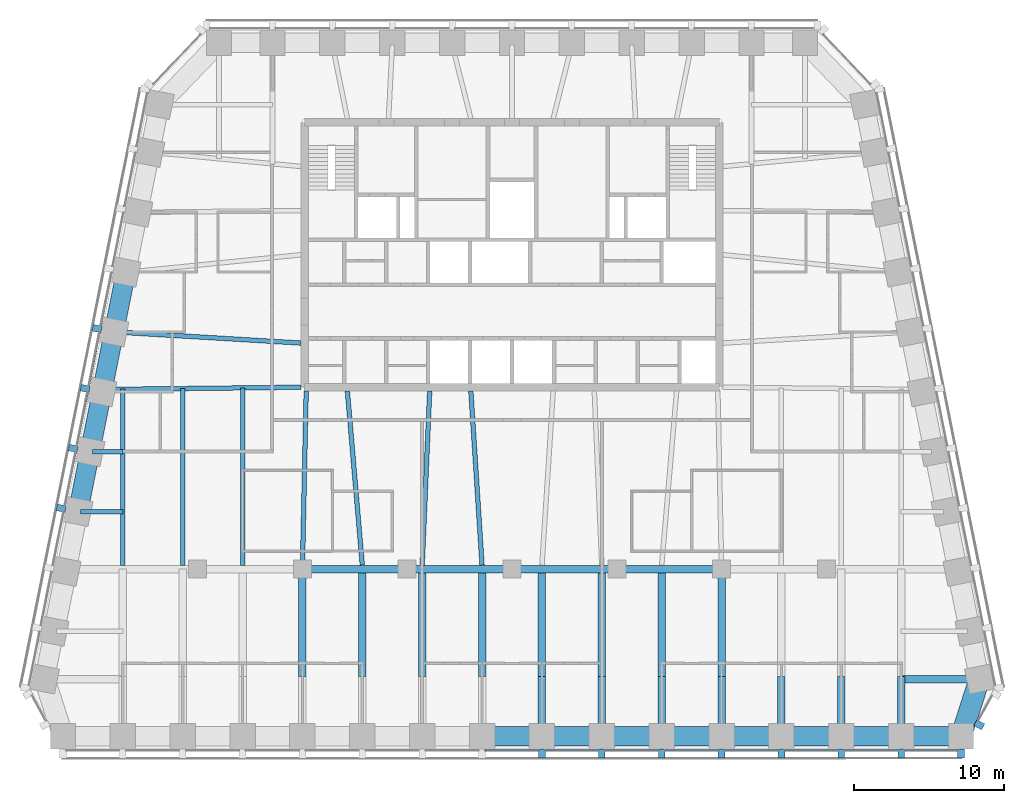
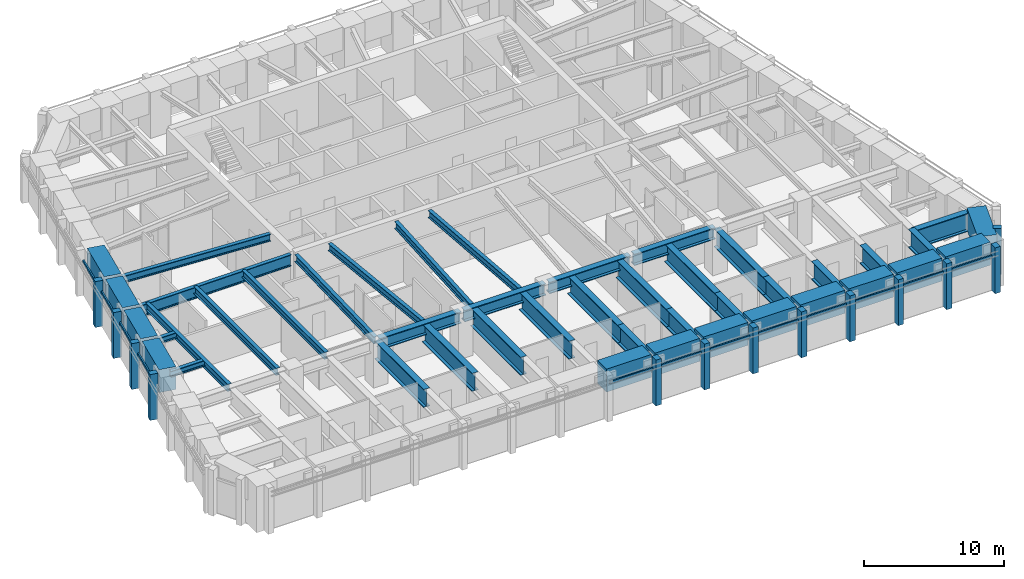
# One storey, part 2 of 12: 44 beams, 25 members, 3 elements without a shape of their own.
"""IFC4 building model written with IfcOpenShell, lengths in metres."""

from ifc_helpers import new_model, si_unit, direction, frame, origin, origin_2d, place, context, subcontext, project, spatial, rectangle, i_section, extrude, material, material_profile, profile_set, type_object, element, aggregate, save


model = new_model("IFC4")

# Units and contexts
model_context = context("Model", 3, precision=1e-05, world=origin(), true_north=direction((0.0, 1.0)))
body_context = subcontext(model_context, "Body", "Model", "MODEL_VIEW")
ifc_project = project(units=[si_unit("LENGTHUNIT", "METRE"), si_unit("AREAUNIT", "SQUARE_METRE"), si_unit("VOLUMEUNIT", "CUBIC_METRE"), si_unit("PLANEANGLEUNIT", "RADIAN"), si_unit("MASSUNIT", "GRAM", prefix="KILO")], contexts=[model_context])

# Site, building, storey
site_placement = place(None, origin())
site = spatial("IfcSite", under=ifc_project, at=site_placement, CompositionType="ELEMENT")
building_placement = place(site_placement, origin())
building = spatial("IfcBuilding", under=site, at=building_placement, Name="Isbrekke Arena Tower", CompositionType="ELEMENT")
storey_placement = place(building_placement, frame((0.0, 0.0, 256.0)))
storey = spatial("IfcBuildingStorey", under=building, at=storey_placement, Name="L59", CompositionType="ELEMENT", Elevation=256.0)

# Beams
ifc_material_1 = material(Name="Steel S355", Category="steel")
ifc_material_profile_1 = material_profile(ifc_material_1, i_section(OverallWidth=0.304931640625, OverallDepth=0.6201171875, WebThickness=0.02099609375, FlangeThickness=0.0400390625, FilletRadius=0.027099609375, at=origin_2d()), Name="HEM 600")
ifc_profile_set_1 = profile_set([ifc_material_profile_1], Name="Steel S355")
beam_type_1 = type_object("IfcBeamType", Name="B4 HEM 600", PredefinedType="BEAM", material=ifc_profile_set_1)
beam_1_placement = place(storey_placement, frame((-26.0, -5.75, 3.5400390625), z_axis=(0.0, 1.0, 0.0), x_axis=(-1.0, 0.0, 0.0)))
element("IfcBeam", 1, at=beam_1_placement, inside=storey, type_object=beam_type_1, Name="B4 beam C-M01 L59", PredefinedType="BEAM", context=body_context, shape_type="SweptSolid", body=[
    extrude(i_section(OverallWidth=0.304931640625, OverallDepth=0.6201171875, WebThickness=0.02099609375, FlangeThickness=0.0400390625, FilletRadius=0.027099609375, at=origin_2d()), origin(), (0.0, 0.0, 1.0), 11.765625),
])
beam_2_placement = place(storey_placement, frame((-22.0, -5.75, 3.5400390625), z_axis=(0.0, 1.0, 0.0), x_axis=(-1.0, 0.0, 0.0)))
element("IfcBeam", 2, at=beam_2_placement, inside=storey, type_object=beam_type_1, Name="B4 beam C-M02 L59", PredefinedType="BEAM", context=body_context, shape_type="SweptSolid", body=[
    extrude(i_section(OverallWidth=0.304931640625, OverallDepth=0.6201171875, WebThickness=0.02099609375, FlangeThickness=0.0400390625, FilletRadius=0.027099609375, at=origin_2d()), origin(), (0.0, 0.0, 1.0), 11.810791015625),
])
beam_3_placement = place(storey_placement, frame((-18.0, -5.75, 3.5400390625), z_axis=(0.0, 1.0, 0.0), x_axis=(-1.0, 0.0, 0.0)))
element("IfcBeam", 3, at=beam_3_placement, inside=storey, type_object=beam_type_1, Name="B4 beam C-M03 L59", PredefinedType="BEAM", context=body_context, shape_type="SweptSolid", body=[
    extrude(i_section(OverallWidth=0.304931640625, OverallDepth=0.6201171875, WebThickness=0.02099609375, FlangeThickness=0.0400390625, FilletRadius=0.027099609375, at=origin_2d()), origin(), (0.0, 0.0, 1.0), 11.85595703125),
])
beam_4_placement = place(storey_placement, frame((-14.0, -5.8466796875, 3.5400390625), z_axis=(0.021277968258, 0.999773598405, 0.0), x_axis=(-0.999773598405, 0.021277968258, 0.0)))
element("IfcBeam", 4, at=beam_4_placement, inside=storey, type_object=beam_type_1, Name="B4 beam C-M04 L59", PredefinedType="BEAM", context=body_context, shape_type="SweptSolid", body=[
    extrude(i_section(OverallWidth=0.304931640625, OverallDepth=0.6201171875, WebThickness=0.02099609375, FlangeThickness=0.0400390625, FilletRadius=0.027099609375, at=origin_2d()), origin(), (0.0, 0.0, 1.0), 11.749267578125),
])
beam_5_placement = place(storey_placement, frame((-10.001220703125, -5.737060546875, 3.5400390625), z_axis=(-0.085513786118, 0.996336987361, 0.0), x_axis=(-0.996336987361, -0.085513786118, 0.0)))
element("IfcBeam", 5, at=beam_5_placement, inside=storey, type_object=beam_type_1, Name="B4 beam C-M05 L59", PredefinedType="BEAM", context=body_context, shape_type="SweptSolid", body=[
    extrude(i_section(OverallWidth=0.304931640625, OverallDepth=0.6201171875, WebThickness=0.02099609375, FlangeThickness=0.0400390625, FilletRadius=0.027099609375, at=origin_2d()), origin(), (0.0, 0.0, 1.0), 11.6796875),
])
beam_6_placement = place(storey_placement, frame((-5.999755859375, -5.743408203125, 3.5400390625), z_axis=(0.042882661228, 0.999080115589, 0.0), x_axis=(-0.999080115589, 0.042882661228, 0.0)))
element("IfcBeam", 6, at=beam_6_placement, inside=storey, type_object=beam_type_1, Name="B4 beam C-M06 L59", PredefinedType="BEAM", context=body_context, shape_type="SweptSolid", body=[
    extrude(i_section(OverallWidth=0.304931640625, OverallDepth=0.6201171875, WebThickness=0.02099609375, FlangeThickness=0.0400390625, FilletRadius=0.027099609375, at=origin_2d()), origin(), (0.0, 0.0, 1.0), 11.654052734375),
])
beam_7_placement = place(storey_placement, frame((-2.000732421875, -5.740234375, 3.5400390625), z_axis=(-0.064236369609, 0.997934711702, 0.0), x_axis=(-0.997934711702, -0.064236369609, 0.0)))
element("IfcBeam", 7, at=beam_7_placement, inside=storey, type_object=beam_type_1, Name="B4 beam C-M07 L59", PredefinedType="BEAM", context=body_context, shape_type="SweptSolid", body=[
    extrude(i_section(OverallWidth=0.304931640625, OverallDepth=0.6201171875, WebThickness=0.02099609375, FlangeThickness=0.0400390625, FilletRadius=0.027099609375, at=origin_2d()), origin(), (0.0, 0.0, 1.0), 11.664306640625),
])
beam_8_placement = place(storey_placement, frame((-26.431884765625, 9.837646484375, 3.5400390625), z_axis=(0.998216240514, -0.059702070095, 0.0), x_axis=(0.059702070095, 0.998216240514, 0.0)))
element("IfcBeam", 8, at=beam_8_placement, inside=storey, type_object=beam_type_1, Name="B4 beam E-W05 L59", PredefinedType="BEAM", context=body_context, shape_type="SweptSolid", body=[
    extrude(i_section(OverallWidth=0.304931640625, OverallDepth=0.6201171875, WebThickness=0.02099609375, FlangeThickness=0.0400390625, FilletRadius=0.027099609375, at=origin_2d()), origin(), (0.0, 0.0, 1.0), 12.353759765625),
])
ifc_material_2 = material(Name="Steel S355", Category="steel")
ifc_material_profile_2 = material_profile(ifc_material_2, i_section(OverallWidth=0.305908203125, OverallDepth=0.52392578125, WebThickness=0.02099609375, FlangeThickness=0.0400390625, FilletRadius=0.027099609375, at=origin_2d()), Name="HEM 500")
ifc_profile_set_2 = profile_set([ifc_material_profile_2], Name="Steel S355")
beam_type_2 = type_object("IfcBeamType", Name="B5 HEM 500", PredefinedType="BEAM", material=ifc_profile_set_2)
beam_9_placement = place(storey_placement, frame((-28.041015625, 1.838134765625, 3.587890625), z_axis=(1.0, 0.0, 0.0), x_axis=(0.0, 1.0, 0.0)))
element("IfcBeam", 9, at=beam_9_placement, inside=storey, type_object=beam_type_2, Name="B5 beam E-W07 L59", PredefinedType="BEAM", context=body_context, shape_type="SweptSolid", body=[
    extrude(i_section(OverallWidth=0.305908203125, OverallDepth=0.52392578125, WebThickness=0.02099609375, FlangeThickness=0.0400390625, FilletRadius=0.027099609375, at=origin_2d()), origin(), (0.0, 0.0, 1.0), 2.041015625),
])
beam_10_placement = place(storey_placement, frame((-28.841064453125, -2.161865234375, 3.587890625), z_axis=(1.0, 0.0, 0.0), x_axis=(0.0, 1.0, 0.0)))
element("IfcBeam", 10, at=beam_10_placement, inside=storey, type_object=beam_type_2, Name="B5 beam E-W08 L59", PredefinedType="BEAM", context=body_context, shape_type="SweptSolid", body=[
    extrude(i_section(OverallWidth=0.305908203125, OverallDepth=0.52392578125, WebThickness=0.02099609375, FlangeThickness=0.0400390625, FilletRadius=0.027099609375, at=origin_2d()), origin(), (0.0, 0.0, 1.0), 2.841064453125),
])

# Curtain wall, members
ifc_material_3 = material(Name="Glazed aluminium curtain wall", Category="aluminium")
curtain_wall_type = type_object("IfcCurtainWallType", Name="CWT TOWER CURTAIN WALL TOP ZONE", PredefinedType="USERDEFINED", material=ifc_material_3)
curtain_wall_1_placement = place(storey_placement, origin())
curtain_wall_1 = element("IfcCurtainWall", 11, at=curtain_wall_1_placement, inside=storey, type_object=curtain_wall_type, Name="CWT curtain wall L59-S", ObjectType="TOWER CURTAIN WALL TOP ZONE", PredefinedType="USERDEFINED")
ifc_material_4 = material(Name="Copper-clad aluminium mullion", Category="aluminium")
ifc_material_profile_3 = material_profile(ifc_material_4, rectangle(XDim=0.449951171875, YDim=0.60009765625, at=origin_2d()), Name="PIER 450X600")
ifc_profile_set_3 = profile_set([ifc_material_profile_3], Name="Copper-clad aluminium mullion")
member_type_1 = type_object("IfcMemberType", Name="CWT-M PIER MULLION 450 x 600", PredefinedType="MULLION", material=ifc_profile_set_3)
member_1_placement = place(storey_placement, frame((2.0, -18.324951171875, 0.0), z_axis=(0.0, 0.0, 1.0), x_axis=(1.0, 0.0, 0.0)))
member_1 = element("IfcMember", 12, at=member_1_placement, type_object=member_type_1, Name="CWT-M mullion 9", PredefinedType="MULLION", context=body_context, shape_type="SweptSolid", body=[
    extrude(rectangle(XDim=0.449951171875, YDim=0.60009765625, at=origin_2d()), origin(), (0.0, 0.0, 1.0), 4.0),
])
member_2_placement = place(storey_placement, frame((6.0, -18.324951171875, 0.0), z_axis=(0.0, 0.0, 1.0), x_axis=(1.0, 0.0, 0.0)))
member_2 = element("IfcMember", 13, at=member_2_placement, type_object=member_type_1, Name="CWT-M mullion 10", PredefinedType="MULLION", context=body_context, shape_type="SweptSolid", body=[
    extrude(rectangle(XDim=0.449951171875, YDim=0.60009765625, at=origin_2d()), origin(), (0.0, 0.0, 1.0), 4.0),
])
member_3_placement = place(storey_placement, frame((10.0, -18.324951171875, 0.0), z_axis=(0.0, 0.0, 1.0), x_axis=(1.0, 0.0, 0.0)))
member_3 = element("IfcMember", 14, at=member_3_placement, type_object=member_type_1, Name="CWT-M mullion 11", PredefinedType="MULLION", context=body_context, shape_type="SweptSolid", body=[
    extrude(rectangle(XDim=0.449951171875, YDim=0.60009765625, at=origin_2d()), origin(), (0.0, 0.0, 1.0), 4.0),
])
member_4_placement = place(storey_placement, frame((14.0, -18.324951171875, 0.0), z_axis=(0.0, 0.0, 1.0), x_axis=(1.0, 0.0, 0.0)))
member_4 = element("IfcMember", 15, at=member_4_placement, type_object=member_type_1, Name="CWT-M mullion 12", PredefinedType="MULLION", context=body_context, shape_type="SweptSolid", body=[
    extrude(rectangle(XDim=0.449951171875, YDim=0.60009765625, at=origin_2d()), origin(), (0.0, 0.0, 1.0), 4.0),
])
member_5_placement = place(storey_placement, frame((18.0, -18.324951171875, 0.0), z_axis=(0.0, 0.0, 1.0), x_axis=(1.0, 0.0, 0.0)))
member_5 = element("IfcMember", 16, at=member_5_placement, type_object=member_type_1, Name="CWT-M mullion 13", PredefinedType="MULLION", context=body_context, shape_type="SweptSolid", body=[
    extrude(rectangle(XDim=0.449951171875, YDim=0.60009765625, at=origin_2d()), origin(), (0.0, 0.0, 1.0), 4.0),
])
member_6_placement = place(storey_placement, frame((22.0, -18.324951171875, 0.0), z_axis=(0.0, 0.0, 1.0), x_axis=(1.0, 0.0, 0.0)))
member_6 = element("IfcMember", 17, at=member_6_placement, type_object=member_type_1, Name="CWT-M mullion 14", PredefinedType="MULLION", context=body_context, shape_type="SweptSolid", body=[
    extrude(rectangle(XDim=0.449951171875, YDim=0.60009765625, at=origin_2d()), origin(), (0.0, 0.0, 1.0), 4.0),
])
member_7_placement = place(storey_placement, frame((26.0, -18.324951171875, 0.0), z_axis=(0.0, 0.0, 1.0), x_axis=(1.0, 0.0, 0.0)))
member_7 = element("IfcMember", 18, at=member_7_placement, type_object=member_type_1, Name="CWT-M mullion 15", PredefinedType="MULLION", context=body_context, shape_type="SweptSolid", body=[
    extrude(rectangle(XDim=0.449951171875, YDim=0.60009765625, at=origin_2d()), origin(), (0.0, 0.0, 1.0), 4.0),
])
member_8_placement = place(storey_placement, frame((30.0, -18.324951171875, 0.0), z_axis=(0.0, 0.0, 1.0), x_axis=(1.0, 0.0, 0.0)))
member_8 = element("IfcMember", 19, at=member_8_placement, type_object=member_type_1, Name="CWT-M mullion 16", PredefinedType="MULLION", context=body_context, shape_type="SweptSolid", body=[
    extrude(rectangle(XDim=0.449951171875, YDim=0.60009765625, at=origin_2d()), origin(), (0.0, 0.0, 1.0), 4.0),
])

# Curtain wall, member
curtain_wall_2_placement = place(storey_placement, origin())
curtain_wall_2 = element("IfcCurtainWall", 20, at=curtain_wall_2_placement, inside=storey, type_object=curtain_wall_type, Name="CWT curtain wall L59-SE", ObjectType="TOWER CURTAIN WALL TOP ZONE", PredefinedType="USERDEFINED")
member_9_placement = place(storey_placement, frame((31.218994140625, -16.406005859375, 0.0), z_axis=(0.0, 0.0, 1.0), x_axis=(0.481918749773, 0.876215908676, 0.0)))
member_9 = element("IfcMember", 21, at=member_9_placement, type_object=member_type_1, Name="CWT-M mullion 1", PredefinedType="MULLION", context=body_context, shape_type="SweptSolid", body=[
    extrude(rectangle(XDim=0.449951171875, YDim=0.60009765625, at=origin_2d()), origin(), (0.0, 0.0, 1.0), 4.0),
])
aggregate(curtain_wall_2, [member_9])

# Curtain wall, members
curtain_wall_3_placement = place(storey_placement, origin())
curtain_wall_3 = element("IfcCurtainWall", 22, at=curtain_wall_3_placement, inside=storey, type_object=curtain_wall_type, Name="CWT curtain wall L59-W", ObjectType="TOWER CURTAIN WALL TOP ZONE", PredefinedType="USERDEFINED")
member_10_placement = place(storey_placement, frame((-27.71875, 10.063720703125, 0.0), z_axis=(0.0, 0.0, 1.0), x_axis=(-0.196116135138, -0.980580675691, 0.0)))
member_10 = element("IfcMember", 23, at=member_10_placement, type_object=member_type_1, Name="CWT-M mullion 5", PredefinedType="MULLION", context=body_context, shape_type="SweptSolid", body=[
    extrude(rectangle(XDim=0.449951171875, YDim=0.60009765625, at=origin_2d()), origin(), (0.0, 0.0, 1.0), 4.0),
])
member_11_placement = place(storey_placement, frame((-28.518798828125, 6.063720703125, 0.0), z_axis=(0.0, 0.0, 1.0), x_axis=(-0.196116135138, -0.980580675691, 0.0)))
member_11 = element("IfcMember", 24, at=member_11_placement, type_object=member_type_1, Name="CWT-M mullion 6", PredefinedType="MULLION", context=body_context, shape_type="SweptSolid", body=[
    extrude(rectangle(XDim=0.449951171875, YDim=0.60009765625, at=origin_2d()), origin(), (0.0, 0.0, 1.0), 4.0),
])
member_12_placement = place(storey_placement, frame((-29.318603515625, 2.063720703125, 0.0), z_axis=(0.0, 0.0, 1.0), x_axis=(-0.196116135138, -0.980580675691, 0.0)))
member_12 = element("IfcMember", 25, at=member_12_placement, type_object=member_type_1, Name="CWT-M mullion 7", PredefinedType="MULLION", context=body_context, shape_type="SweptSolid", body=[
    extrude(rectangle(XDim=0.449951171875, YDim=0.60009765625, at=origin_2d()), origin(), (0.0, 0.0, 1.0), 4.0),
])
member_13_placement = place(storey_placement, frame((-30.11865234375, -1.936279296875, 0.0), z_axis=(0.0, 0.0, 1.0), x_axis=(-0.196116135138, -0.980580675691, 0.0)))
member_13 = element("IfcMember", 26, at=member_13_placement, type_object=member_type_1, Name="CWT-M mullion 8", PredefinedType="MULLION", context=body_context, shape_type="SweptSolid", body=[
    extrude(rectangle(XDim=0.449951171875, YDim=0.60009765625, at=origin_2d()), origin(), (0.0, 0.0, 1.0), 4.0),
])

# Member
ifc_material_5 = material(Name="Aluminium transom", Category="aluminium")
ifc_material_profile_4 = material_profile(ifc_material_5, rectangle(XDim=0.1201171875, YDim=0.199951171875, at=origin_2d()), Name="TRANSOM 120X200")
ifc_profile_set_4 = profile_set([ifc_material_profile_4], Name="Aluminium transom")
member_type_2 = type_object("IfcMemberType", Name="CWT-T TRANSOM 120 x 200", PredefinedType="USERDEFINED", material=ifc_profile_set_4)
member_14_placement = place(storey_placement, frame((-1.77490234375, -18.125, 3.0), z_axis=(1.0, 0.0, 0.0), x_axis=(0.0, 1.0, 0.0)))
member_14 = element("IfcMember", 27, at=member_14_placement, type_object=member_type_2, Name="CWT-T transom 8", ObjectType="TRANSOM", PredefinedType="USERDEFINED", context=body_context, shape_type="SweptSolid", body=[
    extrude(rectangle(XDim=0.1201171875, YDim=0.199951171875, at=origin_2d()), origin(), (0.0, 0.0, 1.0), 3.5498046875),
])

member_15_placement = place(storey_placement, frame((2.22509765625, -18.125, 3.0), z_axis=(1.0, 0.0, 0.0), x_axis=(0.0, 1.0, 0.0)))
member_15 = element("IfcMember", 28, at=member_15_placement, type_object=member_type_2, Name="CWT-T transom 9", ObjectType="TRANSOM", PredefinedType="USERDEFINED", context=body_context, shape_type="SweptSolid", body=[
    extrude(rectangle(XDim=0.1201171875, YDim=0.199951171875, at=origin_2d()), origin(), (0.0, 0.0, 1.0), 3.5498046875),
])

member_16_placement = place(storey_placement, frame((6.22509765625, -18.125, 3.0), z_axis=(1.0, 0.0, 0.0), x_axis=(0.0, 1.0, 0.0)))
member_16 = element("IfcMember", 29, at=member_16_placement, type_object=member_type_2, Name="CWT-T transom 10", ObjectType="TRANSOM", PredefinedType="USERDEFINED", context=body_context, shape_type="SweptSolid", body=[
    extrude(rectangle(XDim=0.1201171875, YDim=0.199951171875, at=origin_2d()), origin(), (0.0, 0.0, 1.0), 3.5498046875),
])

member_17_placement = place(storey_placement, frame((10.22509765625, -18.125, 3.0), z_axis=(1.0, 0.0, 0.0), x_axis=(0.0, 1.0, 0.0)))
member_17 = element("IfcMember", 30, at=member_17_placement, type_object=member_type_2, Name="CWT-T transom 11", ObjectType="TRANSOM", PredefinedType="USERDEFINED", context=body_context, shape_type="SweptSolid", body=[
    extrude(rectangle(XDim=0.1201171875, YDim=0.199951171875, at=origin_2d()), origin(), (0.0, 0.0, 1.0), 3.5498046875),
])

member_18_placement = place(storey_placement, frame((14.22509765625, -18.125, 3.0), z_axis=(1.0, 0.0, 0.0), x_axis=(0.0, 1.0, 0.0)))
member_18 = element("IfcMember", 31, at=member_18_placement, type_object=member_type_2, Name="CWT-T transom 12", ObjectType="TRANSOM", PredefinedType="USERDEFINED", context=body_context, shape_type="SweptSolid", body=[
    extrude(rectangle(XDim=0.1201171875, YDim=0.199951171875, at=origin_2d()), origin(), (0.0, 0.0, 1.0), 3.5498046875),
])

member_19_placement = place(storey_placement, frame((18.22509765625, -18.125, 3.0), z_axis=(1.0, 0.0, 0.0), x_axis=(0.0, 1.0, 0.0)))
member_19 = element("IfcMember", 32, at=member_19_placement, type_object=member_type_2, Name="CWT-T transom 13", ObjectType="TRANSOM", PredefinedType="USERDEFINED", context=body_context, shape_type="SweptSolid", body=[
    extrude(rectangle(XDim=0.1201171875, YDim=0.199951171875, at=origin_2d()), origin(), (0.0, 0.0, 1.0), 3.5498046875),
])

member_20_placement = place(storey_placement, frame((22.22509765625, -18.125, 3.0), z_axis=(1.0, 0.0, 0.0), x_axis=(0.0, 1.0, 0.0)))
member_20 = element("IfcMember", 33, at=member_20_placement, type_object=member_type_2, Name="CWT-T transom 14", ObjectType="TRANSOM", PredefinedType="USERDEFINED", context=body_context, shape_type="SweptSolid", body=[
    extrude(rectangle(XDim=0.1201171875, YDim=0.199951171875, at=origin_2d()), origin(), (0.0, 0.0, 1.0), 3.5498046875),
])

member_21_placement = place(storey_placement, frame((26.22509765625, -18.125, 3.0), z_axis=(1.0, 0.0, 0.0), x_axis=(0.0, 1.0, 0.0)))
member_21 = element("IfcMember", 34, at=member_21_placement, type_object=member_type_2, Name="CWT-T transom 15", ObjectType="TRANSOM", PredefinedType="USERDEFINED", context=body_context, shape_type="SweptSolid", body=[
    extrude(rectangle(XDim=0.1201171875, YDim=0.199951171875, at=origin_2d()), origin(), (0.0, 0.0, 1.0), 3.5498046875),
])

aggregate(curtain_wall_1, [member_1, member_2, member_3, member_4, member_5, member_6, member_7, member_8, member_14, member_15, member_16, member_17, member_18, member_19, member_20, member_21])

member_22_placement = place(storey_placement, frame((-26.7666015625, 13.803955078125, 3.0), z_axis=(-0.196154943734, -0.980572913173, 0.0), x_axis=(0.980572913173, -0.196154943734, 0.0)))
member_22 = element("IfcMember", 35, at=member_22_placement, type_object=member_type_2, Name="CWT-T transom 4", ObjectType="TRANSOM", PredefinedType="USERDEFINED", context=body_context, shape_type="SweptSolid", body=[
    extrude(rectangle(XDim=0.1201171875, YDim=0.199951171875, at=origin_2d()), origin(), (0.0, 0.0, 1.0), 3.62939453125),
])

member_23_placement = place(storey_placement, frame((-27.566650390625, 9.803955078125, 3.0), z_axis=(-0.196154943734, -0.980572913173, 0.0), x_axis=(0.980572913173, -0.196154943734, 0.0)))
member_23 = element("IfcMember", 36, at=member_23_placement, type_object=member_type_2, Name="CWT-T transom 5", ObjectType="TRANSOM", PredefinedType="USERDEFINED", context=body_context, shape_type="SweptSolid", body=[
    extrude(rectangle(XDim=0.1201171875, YDim=0.199951171875, at=origin_2d()), origin(), (0.0, 0.0, 1.0), 3.62939453125),
])

member_24_placement = place(storey_placement, frame((-28.36669921875, 5.803955078125, 3.0), z_axis=(-0.196090262229, -0.980585849918, 0.0), x_axis=(0.980585849918, -0.196090262229, 0.0)))
member_24 = element("IfcMember", 37, at=member_24_placement, type_object=member_type_2, Name="CWT-T transom 6", ObjectType="TRANSOM", PredefinedType="USERDEFINED", context=body_context, shape_type="SweptSolid", body=[
    extrude(rectangle(XDim=0.1201171875, YDim=0.199951171875, at=origin_2d()), origin(), (0.0, 0.0, 1.0), 3.62939453125),
])

member_25_placement = place(storey_placement, frame((-29.166748046875, 1.803955078125, 3.0), z_axis=(-0.196090262229, -0.980585849918, 0.0), x_axis=(0.980585849918, -0.196090262229, 0.0)))
member_25 = element("IfcMember", 38, at=member_25_placement, type_object=member_type_2, Name="CWT-T transom 7", ObjectType="TRANSOM", PredefinedType="USERDEFINED", context=body_context, shape_type="SweptSolid", body=[
    extrude(rectangle(XDim=0.1201171875, YDim=0.199951171875, at=origin_2d()), origin(), (0.0, 0.0, 1.0), 3.62939453125),
])

aggregate(curtain_wall_3, [member_10, member_11, member_12, member_13, member_22, member_23, member_24, member_25])

# Beams
ifc_material_6 = material(Name="Steel S355", Category="steel")
ifc_material_profile_5 = material_profile(ifc_material_6, i_section(OverallWidth=0.302001953125, OverallDepth=1.008056640625, WebThickness=0.02099609375, FlangeThickness=0.0400390625, FilletRadius=0.030029296875, at=origin_2d()), Name="HEM 1000")
ifc_profile_set_5 = profile_set([ifc_material_profile_5], Name="Steel S355")
beam_type_3 = type_object("IfcBeamType", Name="G2 HEM 1000", PredefinedType="BEAM", material=ifc_profile_set_5)
beam_11_placement = place(storey_placement, frame((-14.10009765625, 6.14990234375, 3.345947265625), z_axis=(-0.999936387749, -0.011279204565, 0.0), x_axis=(0.011279204565, -0.999936387749, 0.0)))
element("IfcBeam", 39, at=beam_11_placement, inside=storey, type_object=beam_type_3, Name="G2 beam G2-W L59", PredefinedType="BEAM", context=body_context, shape_type="SweptSolid", body=[
    extrude(i_section(OverallWidth=0.302001953125, OverallDepth=1.008056640625, WebThickness=0.02099609375, FlangeThickness=0.0400390625, FilletRadius=0.030029296875, at=origin_2d()), origin(), (0.0, 0.0, 1.0), 13.2900390625),
])
ifc_material_7 = material(Name="Steel S355", Category="steel")
ifc_material_profile_6 = material_profile(ifc_material_7, i_section(OverallWidth=0.5, OverallDepth=1.0, WebThickness=0.0400390625, FlangeThickness=0.06005859375, at=origin_2d()), Name="PG 1000x500")
ifc_profile_set_6 = profile_set([ifc_material_profile_6], Name="Steel S355")
beam_type_4 = type_object("IfcBeamType", Name="G4 PG 1000x500", PredefinedType="BEAM", material=ifc_profile_set_6)
for number, where, z_axis, x_axis, name in (
    (40, (-13.85009765625, -6.0, 3.35009765625), (1.0, 0.0, 0.0), (0.0, 1.0, 0.0), "G4 beam G1-03 L59"),
    (41, (-6.85009765625, -6.0, 3.35009765625), (1.0, 0.0, 0.0), (0.0, 1.0, 0.0), "G4 beam G1-04 L59"),
    (42, (0.14990234375, -6.0, 3.35009765625), (1.0, 0.0, 0.0), (0.0, 1.0, 0.0), "G4 beam G1-05 L59"),
    (43, (7.14990234375, -6.0, 3.35009765625), (1.0, 0.0, 0.0), (0.0, 1.0, 0.0), "G4 beam G1-06 L59"),
):
    element("IfcBeam", number, at=place(storey_placement, frame(where, z_axis=z_axis, x_axis=x_axis)), inside=storey, type_object=beam_type_4, Name=name, PredefinedType="BEAM", context=body_context, shape_type="SweptSolid", body=[
        extrude(i_section(OverallWidth=0.5, OverallDepth=1.0, WebThickness=0.0400390625, FlangeThickness=0.06005859375, at=origin_2d()), origin(), (0.0, 0.0, 1.0), 6.7001953125),
    ])
ifc_material_8 = material(Name="Concrete B55 (C55/67)", Category="concrete")
ifc_material_profile_7 = material_profile(ifc_material_8, rectangle(XDim=1.300048828125, YDim=2.0, at=origin_2d()), Name="RC 1300x2000")
ifc_profile_set_7 = profile_set([ifc_material_profile_7], Name="Concrete B55 (C55/67)")
beam_type_5 = type_object("IfcBeamType", Name="SB4 RC 1300 x 2000", PredefinedType="SPANDREL", material=ifc_profile_set_7)
for number, where, z_axis, x_axis, name in (
    (44, (-1.85009765625, -17.175048828125, 3.0), (1.0, 0.0, 0.0), (0.0, 1.0, 0.0), "SB4 spandrel S08-S09 L59"),
    (45, (2.14990234375, -17.175048828125, 3.0), (1.0, 0.0, 0.0), (0.0, 1.0, 0.0), "SB4 spandrel S09-S10 L59"),
    (46, (6.14990234375, -17.175048828125, 3.0), (1.0, 0.0, 0.0), (0.0, 1.0, 0.0), "SB4 spandrel S10-S11 L59"),
    (47, (10.14990234375, -17.175048828125, 3.0), (1.0, 0.0, 0.0), (0.0, 1.0, 0.0), "SB4 spandrel S11-S12 L59"),
    (48, (14.14990234375, -17.175048828125, 3.0), (1.0, 0.0, 0.0), (0.0, 1.0, 0.0), "SB4 spandrel S12-S13 L59"),
    (49, (18.14990234375, -17.175048828125, 3.0), (1.0, 0.0, 0.0), (0.0, 1.0, 0.0), "SB4 spandrel S13-S14 L59"),
    (50, (22.14990234375, -17.175048828125, 3.0), (1.0, 0.0, 0.0), (0.0, 1.0, 0.0), "SB4 spandrel S14-S15 L59"),
    (51, (26.14990234375, -17.175048828125, 3.0), (1.0, 0.0, 0.0), (0.0, 1.0, 0.0), "SB4 spandrel S15-S16 L59"),
):
    element("IfcBeam", number, at=place(storey_placement, frame(where, z_axis=z_axis, x_axis=x_axis)), inside=storey, type_object=beam_type_5, Name=name, PredefinedType="SPANDREL", context=body_context, shape_type="SweptSolid", body=[
        extrude(rectangle(XDim=1.300048828125, YDim=2.0, at=origin_2d()), origin(), (0.0, 0.0, 1.0), 3.7001953125),
    ])
beam_12_placement = place(storey_placement, frame((-25.820556640625, 13.691162109375, 3.0), z_axis=(-0.1960664412, -0.980590613169, 0.0), x_axis=(0.980590613169, -0.1960664412, 0.0)))
element("IfcBeam", 52, at=beam_12_placement, inside=storey, type_object=beam_type_5, Name="SB4 spandrel W04-W05 L59", PredefinedType="SPANDREL", context=body_context, shape_type="SweptSolid", body=[
    extrude(rectangle(XDim=1.300048828125, YDim=2.0, at=origin_2d()), origin(), (0.0, 0.0, 1.0), 3.779052734375),
])
for number, where, z_axis, x_axis, name in (
    (53, (-26.620361328125, 9.691162109375, 3.0), (-0.196128558387, -0.980578190959, 0.0), (0.980578190959, -0.196128558387, 0.0), "SB4 spandrel W05-W06 L59"),
    (54, (-27.42041015625, 5.691162109375, 3.0), (-0.196128558387, -0.980578190959, 0.0), (0.980578190959, -0.196128558387, 0.0), "SB4 spandrel W06-W07 L59"),
    (55, (-28.220458984375, 1.691162109375, 3.0), (-0.196128558387, -0.980578190959, 0.0), (0.980578190959, -0.196128558387, 0.0), "SB4 spandrel W07-W08 L59"),
):
    element("IfcBeam", number, at=place(storey_placement, frame(where, z_axis=z_axis, x_axis=x_axis)), inside=storey, type_object=beam_type_5, Name=name, PredefinedType="SPANDREL", context=body_context, shape_type="SweptSolid", body=[
        extrude(rectangle(XDim=1.300048828125, YDim=2.0, at=origin_2d()), origin(), (0.0, 0.0, 1.0), 3.779296875),
    ])
ifc_material_9 = material(Name="Concrete B55 (C55/67)", Category="concrete")
ifc_material_profile_8 = material_profile(ifc_material_9, rectangle(XDim=1.39990234375, YDim=1.89990234375, at=origin_2d()), Name="RC 1400 x 1900")
ifc_profile_set_8 = profile_set([ifc_material_profile_8], Name="Concrete B55 (C55/67)")
beam_type_6 = type_object("IfcBeamType", Name="SB5 RC 1400  x  1900", PredefinedType="SPANDREL", material=ifc_profile_set_8)
beam_13_placement = place(storey_placement, frame((30.0458984375, -17.0322265625, 3.050048828125), z_axis=(0.306175101476, 0.951975213562, 0.0), x_axis=(-0.951975213562, 0.306175101476, 0.0)))
element("IfcBeam", 56, at=beam_13_placement, inside=storey, type_object=beam_type_6, Name="SB5 spandrel S16-E01 L59", PredefinedType="SPANDREL", context=body_context, shape_type="SweptSolid", body=[
    extrude(rectangle(XDim=1.39990234375, YDim=1.89990234375, at=origin_2d()), origin(), (0.0, 0.0, 1.0), 3.715087890625),
])
ifc_material_10 = material(Name="Steel S355", Category="steel")
ifc_material_profile_9 = material_profile(ifc_material_10, i_section(OverallWidth=0.5, OverallDepth=1.60009765625, WebThickness=0.030029296875, FlangeThickness=0.06005859375, at=origin_2d()), Name="PG 1600x500")
ifc_profile_set_9 = profile_set([ifc_material_profile_9], Name="Steel S355")
beam_type_7 = type_object("IfcBeamType", Name="TG1 PG 1600x500", PredefinedType="BEAM", material=ifc_profile_set_9)
beam_14_placement = place(storey_placement, frame((-14.0, -13.175048828125, 2.949951171875), z_axis=(0.0, 1.0, 0.0), x_axis=(-1.0, 0.0, 0.0)))
element("IfcBeam", 57, at=beam_14_placement, inside=storey, type_object=beam_type_7, Name="TG1 transfer girder S-S05 L59 part 2", PredefinedType="BEAM", context=body_context, shape_type="SweptSolid", body=[
    extrude(i_section(OverallWidth=0.5, OverallDepth=1.60009765625, WebThickness=0.030029296875, FlangeThickness=0.06005859375, at=origin_2d()), origin(), (0.0, 0.0, 1.0), 7.025146484375),
])
for number, where, z_axis, x_axis, name in (
    (58, (-10.0, -13.175048828125, 2.949951171875), (0.0, 1.0, 0.0), (-1.0, 0.0, 0.0), "TG1 transfer girder S-S06 L59 part 2"),
    (59, (-6.0, -13.175048828125, 2.949951171875), (0.0, 1.0, 0.0), (-1.0, 0.0, 0.0), "TG1 transfer girder S-S07 L59 part 2"),
    (60, (-2.0, -13.175048828125, 2.949951171875), (0.0, 1.0, 0.0), (-1.0, 0.0, 0.0), "TG1 transfer girder S-S08 L59 part 2"),
):
    element("IfcBeam", number, at=place(storey_placement, frame(where, z_axis=z_axis, x_axis=x_axis)), inside=storey, type_object=beam_type_7, Name=name, PredefinedType="BEAM", context=body_context, shape_type="SweptSolid", body=[
        extrude(i_section(OverallWidth=0.5, OverallDepth=1.60009765625, WebThickness=0.030029296875, FlangeThickness=0.06005859375, at=origin_2d()), origin(), (0.0, 0.0, 1.0), 7.175048828125),
    ])
beam_15_placement = place(storey_placement, frame((2.0, -17.02490234375, 2.949951171875), z_axis=(0.0, 1.0, 0.0), x_axis=(-1.0, 0.0, 0.0)))
element("IfcBeam", 61, at=beam_15_placement, inside=storey, type_object=beam_type_7, Name="TG1 transfer girder S-S09 L59 part 1", PredefinedType="BEAM", context=body_context, shape_type="SweptSolid", body=[
    extrude(i_section(OverallWidth=0.5, OverallDepth=1.60009765625, WebThickness=0.030029296875, FlangeThickness=0.06005859375, at=origin_2d()), origin(), (0.0, 0.0, 1.0), 3.849853515625),
])
beam_16_placement = place(storey_placement, frame((2.0, -13.175048828125, 2.949951171875), z_axis=(0.0, 1.0, 0.0), x_axis=(-1.0, 0.0, 0.0)))
element("IfcBeam", 62, at=beam_16_placement, inside=storey, type_object=beam_type_7, Name="TG1 transfer girder S-S09 L59 part 2", PredefinedType="BEAM", context=body_context, shape_type="SweptSolid", body=[
    extrude(i_section(OverallWidth=0.5, OverallDepth=1.60009765625, WebThickness=0.030029296875, FlangeThickness=0.06005859375, at=origin_2d()), origin(), (0.0, 0.0, 1.0), 7.175048828125),
])
beam_17_placement = place(storey_placement, frame((6.0, -17.02490234375, 2.949951171875), z_axis=(0.0, 1.0, 0.0), x_axis=(-1.0, 0.0, 0.0)))
element("IfcBeam", 63, at=beam_17_placement, inside=storey, type_object=beam_type_7, Name="TG1 transfer girder S-S10 L59 part 1", PredefinedType="BEAM", context=body_context, shape_type="SweptSolid", body=[
    extrude(i_section(OverallWidth=0.5, OverallDepth=1.60009765625, WebThickness=0.030029296875, FlangeThickness=0.06005859375, at=origin_2d()), origin(), (0.0, 0.0, 1.0), 3.849853515625),
])
beam_18_placement = place(storey_placement, frame((6.0, -13.175048828125, 2.949951171875), z_axis=(0.0, 1.0, 0.0), x_axis=(-1.0, 0.0, 0.0)))
element("IfcBeam", 64, at=beam_18_placement, inside=storey, type_object=beam_type_7, Name="TG1 transfer girder S-S10 L59 part 2", PredefinedType="BEAM", context=body_context, shape_type="SweptSolid", body=[
    extrude(i_section(OverallWidth=0.5, OverallDepth=1.60009765625, WebThickness=0.030029296875, FlangeThickness=0.06005859375, at=origin_2d()), origin(), (0.0, 0.0, 1.0), 7.175048828125),
])
beam_19_placement = place(storey_placement, frame((10.0, -17.02490234375, 2.949951171875), z_axis=(0.0, 1.0, 0.0), x_axis=(-1.0, 0.0, 0.0)))
element("IfcBeam", 65, at=beam_19_placement, inside=storey, type_object=beam_type_7, Name="TG1 transfer girder S-S11 L59 part 1", PredefinedType="BEAM", context=body_context, shape_type="SweptSolid", body=[
    extrude(i_section(OverallWidth=0.5, OverallDepth=1.60009765625, WebThickness=0.030029296875, FlangeThickness=0.06005859375, at=origin_2d()), origin(), (0.0, 0.0, 1.0), 3.849853515625),
])
beam_20_placement = place(storey_placement, frame((10.0, -13.175048828125, 2.949951171875), z_axis=(0.0, 1.0, 0.0), x_axis=(-1.0, 0.0, 0.0)))
element("IfcBeam", 66, at=beam_20_placement, inside=storey, type_object=beam_type_7, Name="TG1 transfer girder S-S11 L59 part 2", PredefinedType="BEAM", context=body_context, shape_type="SweptSolid", body=[
    extrude(i_section(OverallWidth=0.5, OverallDepth=1.60009765625, WebThickness=0.030029296875, FlangeThickness=0.06005859375, at=origin_2d()), origin(), (0.0, 0.0, 1.0), 7.175048828125),
])
beam_21_placement = place(storey_placement, frame((14.0, -17.02490234375, 2.949951171875), z_axis=(0.0, 1.0, 0.0), x_axis=(-1.0, 0.0, 0.0)))
element("IfcBeam", 67, at=beam_21_placement, inside=storey, type_object=beam_type_7, Name="TG1 transfer girder S-S12 L59 part 1", PredefinedType="BEAM", context=body_context, shape_type="SweptSolid", body=[
    extrude(i_section(OverallWidth=0.5, OverallDepth=1.60009765625, WebThickness=0.030029296875, FlangeThickness=0.06005859375, at=origin_2d()), origin(), (0.0, 0.0, 1.0), 3.849853515625),
])
beam_22_placement = place(storey_placement, frame((14.0, -13.175048828125, 2.949951171875), z_axis=(0.0, 1.0, 0.0), x_axis=(-1.0, 0.0, 0.0)))
element("IfcBeam", 68, at=beam_22_placement, inside=storey, type_object=beam_type_7, Name="TG1 transfer girder S-S12 L59 part 2", PredefinedType="BEAM", context=body_context, shape_type="SweptSolid", body=[
    extrude(i_section(OverallWidth=0.5, OverallDepth=1.60009765625, WebThickness=0.030029296875, FlangeThickness=0.06005859375, at=origin_2d()), origin(), (0.0, 0.0, 1.0), 7.025146484375),
])
for number, where, z_axis, x_axis, name in (
    (69, (18.0, -17.02490234375, 2.949951171875), (0.0, 1.0, 0.0), (-1.0, 0.0, 0.0), "TG1 transfer girder S-S13 L59 part 1"),
    (70, (22.0, -17.02490234375, 2.949951171875), (0.0, 1.0, 0.0), (-1.0, 0.0, 0.0), "TG1 transfer girder S-S14 L59 part 1"),
    (71, (26.0, -17.02490234375, 2.949951171875), (0.0, 1.0, 0.0), (-1.0, 0.0, 0.0), "TG1 transfer girder S-S15 L59 part 1"),
):
    element("IfcBeam", number, at=place(storey_placement, frame(where, z_axis=z_axis, x_axis=x_axis)), inside=storey, type_object=beam_type_7, Name=name, PredefinedType="BEAM", context=body_context, shape_type="SweptSolid", body=[
        extrude(i_section(OverallWidth=0.5, OverallDepth=1.60009765625, WebThickness=0.030029296875, FlangeThickness=0.06005859375, at=origin_2d()), origin(), (0.0, 0.0, 1.0), 3.849853515625),
    ])
beam_23_placement = place(storey_placement, frame((31.079345703125, -13.352783203125, 2.949951171875), z_axis=(-1.0, 0.0, 0.0), x_axis=(0.0, -1.0, 0.0)))
element("IfcBeam", 72, at=beam_23_placement, inside=storey, type_object=beam_type_7, Name="TG1 transfer girder E-E01 L59", PredefinedType="BEAM", context=body_context, shape_type="SweptSolid", body=[
    extrude(i_section(OverallWidth=0.5, OverallDepth=1.60009765625, WebThickness=0.030029296875, FlangeThickness=0.06005859375, at=origin_2d()), origin(), (0.0, 0.0, 1.0), 5.079345703125),
])

save(model, "model.ifc")
